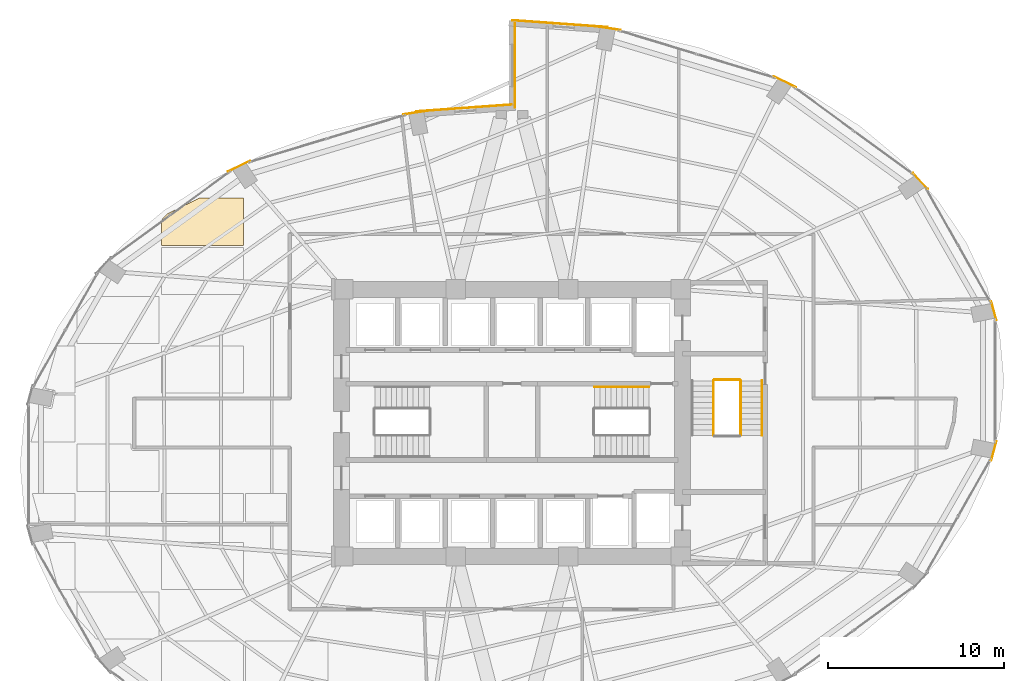
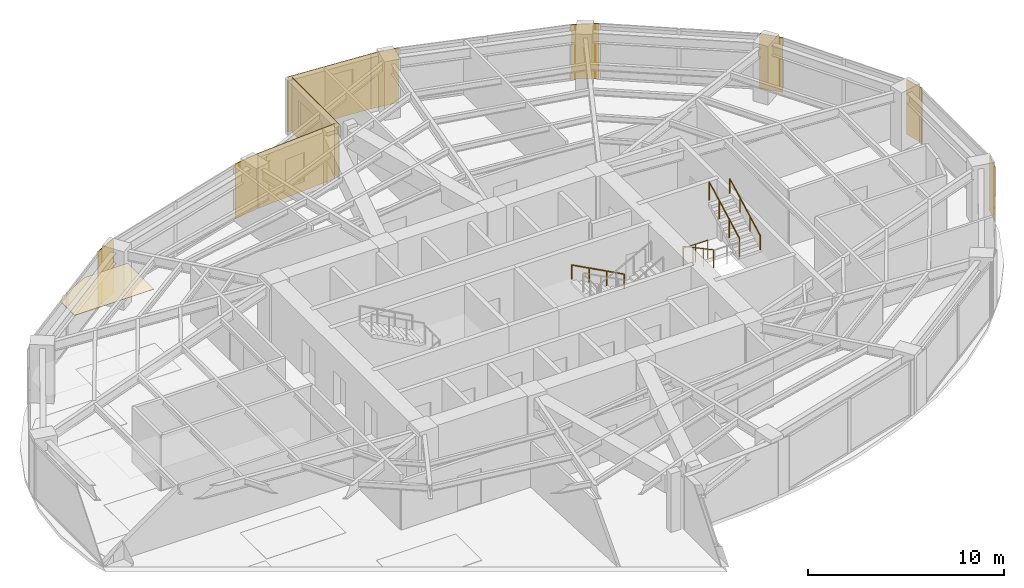
# One storey, part 24 of 24: 11 coverings, 5 railings.
"""IFC4 building model written with IfcOpenShell, lengths in metres."""

from ifc_helpers import new_model, si_unit, direction, frame, origin, origin_2d, place, context, subcontext, project, spatial, polyline, rectangle, circle, outline, extrude, material, layer, layer_set, type_object, element, save


model = new_model("IFC4")

# Units and contexts
model_context = context("Model", 3, precision=1e-05, world=origin(), true_north=direction((0.0, 1.0)))
body_context = subcontext(model_context, "Body", "Model", "MODEL_VIEW")
ifc_project = project(units=[si_unit("LENGTHUNIT", "METRE"), si_unit("AREAUNIT", "SQUARE_METRE"), si_unit("VOLUMEUNIT", "CUBIC_METRE"), si_unit("PLANEANGLEUNIT", "RADIAN"), si_unit("MASSUNIT", "GRAM", prefix="KILO")], contexts=[model_context])

# Site, building, storey
site_placement = place(None, origin())
site = spatial("IfcSite", under=ifc_project, at=site_placement, CompositionType="ELEMENT")
building_placement = place(site_placement, origin())
building = spatial("IfcBuilding", under=site, at=building_placement, Name="Lazwardi Medical Tower", CompositionType="ELEMENT")
storey_placement = place(building_placement, frame((0.0, 0.0, 68.97607421875)))
storey = spatial("IfcBuildingStorey", under=building, at=storey_placement, Name="L17", CompositionType="ELEMENT", Elevation=68.97607421875)

# Coverings
ifc_material_1 = material(Name="Anodised bronze aluminium cassette cladding", Category="aluminium")
ifc_layer_1 = layer(ifc_material_1, 0.030029296875)
ifc_layer_set_1 = layer_set([ifc_layer_1], Name="Anodised bronze aluminium cassette cladding")
covering_type_1 = type_object("IfcCoveringType", Name="COV-CLD-BRZ", PredefinedType="CLADDING", material=ifc_layer_set_1)
for number, where, z_axis, x_axis, name in (
    (1, (63.420654296875, 26.408203125, 0.0), (0.0, 0.0, 1.0), (0.262283496593, 0.964990863902, 0.0), "L17 Mega-column bronze cassette cover M04"),
    (2, (63.420654296875, 34.3916015625, 0.0), (0.0, 0.0, 1.0), (-0.262283496593, 0.964990863902, 0.0), "L17 Mega-column bronze cassette cover M05"),
):
    element("IfcCovering", number, at=place(storey_placement, frame(where, z_axis=z_axis, x_axis=x_axis)), inside=storey, type_object=covering_type_1, Name=name, PredefinedType="CLADDING", context=body_context, shape_type="SweptSolid", body=[
        extrude(rectangle(XDim=1.12548828125, YDim=0.030029296875, at=origin_2d()), origin(), (0.0, 0.0, 1.0), 3.427978515625),
    ])
covering_1_placement = place(storey_placement, frame((59.24609375, 41.767333984375, 0.0), z_axis=(0.0, 0.0, 1.0), x_axis=(-0.674252120961, 0.738501237223, 0.0)))
element("IfcCovering", 3, at=covering_1_placement, inside=storey, type_object=covering_type_1, Name="L17 Mega-column bronze cassette cover M06", PredefinedType="CLADDING", context=body_context, shape_type="SweptSolid", body=[
    extrude(rectangle(XDim=1.24658203125, YDim=0.030029296875, at=origin_2d()), origin(), (0.0, 0.0, 1.0), 3.427978515625),
])
covering_2_placement = place(storey_placement, frame((51.532470703125, 47.412353515625, 0.0), z_axis=(0.0, 0.0, 1.0), x_axis=(-0.898334492373, 0.439312121178, 0.0)))
element("IfcCovering", 4, at=covering_2_placement, inside=storey, type_object=covering_type_1, Name="L17 Mega-column bronze cassette cover M07", PredefinedType="CLADDING", context=body_context, shape_type="SweptSolid", body=[
    extrude(rectangle(XDim=1.400390625, YDim=0.030029296875, at=origin_2d()), origin(), (0.0, 0.0, 1.0), 3.427978515625),
])
for number, where, z_axis, x_axis, name in (
    (5, (41.454345703125, 50.46728515625, 0.0), (0.0, 0.0, 1.0), (-0.98957259946, 0.144034962415, 0.0), "L17 Mega-column bronze cassette cover M08"),
    (6, (30.545654296875, 45.66748046875, 0.0), (0.0, 0.0, 1.0), (-0.98957259946, -0.144034962415, 0.0), "L17 Mega-column bronze cassette cover M09"),
):
    element("IfcCovering", number, at=place(storey_placement, frame(where, z_axis=z_axis, x_axis=x_axis)), inside=storey, type_object=covering_type_1, Name=name, PredefinedType="CLADDING", context=body_context, shape_type="SweptSolid", body=[
        extrude(rectangle(XDim=1.49951171875, YDim=0.030029296875, at=origin_2d()), origin(), (0.0, 0.0, 1.0), 3.427978515625),
    ])
covering_3_placement = place(storey_placement, frame((20.467529296875, 42.6123046875, 0.0), z_axis=(0.0, 0.0, 1.0), x_axis=(-0.898334492373, -0.439312121178, 0.0)))
element("IfcCovering", 7, at=covering_3_placement, inside=storey, type_object=covering_type_1, Name="L17 Mega-column bronze cassette cover M10", PredefinedType="CLADDING", context=body_context, shape_type="SweptSolid", body=[
    extrude(rectangle(XDim=1.400390625, YDim=0.030029296875, at=origin_2d()), origin(), (0.0, 0.0, 1.0), 3.427978515625),
])
ifc_material_2 = material(Name="Turquoise glazed ceramic tilework cladding", Category="masonry")
ifc_layer_2 = layer(ifc_material_2, 0.034912109375)
ifc_layer_set_2 = layer_set([ifc_layer_2], Name="Turquoise glazed ceramic tilework cladding")
covering_type_2 = type_object("IfcCoveringType", Name="COV-CLD-TRQ", PredefinedType="CLADDING", material=ifc_layer_set_2)
covering_4_placement = place(storey_placement, frame((38.728271484375, 50.719482421875, 0.0), z_axis=(0.0, 0.0, 1.0), x_axis=(-0.997421404513, 0.071767275412, 0.0)))
element("IfcCovering", 8, at=covering_4_placement, inside=storey, type_object=covering_type_2, Name="L17 Turquoise glazed ceramic tilework cladding", PredefinedType="CLADDING", context=body_context, shape_type="SweptSolid", body=[
    extrude(rectangle(XDim=5.4453125, YDim=0.034912109375, at=origin_2d()), origin(), (0.0, 0.0, 1.0), 3.427978515625),
])
covering_5_placement = place(storey_placement, frame((33.271484375, 45.919677734375, 0.0), z_axis=(0.0, 0.0, 1.0), x_axis=(-0.997420903458, -0.071774238726, 0.0)))
element("IfcCovering", 9, at=covering_5_placement, inside=storey, type_object=covering_type_2, Name="L17 Turquoise glazed ceramic tilework cladding", PredefinedType="CLADDING", context=body_context, shape_type="SweptSolid", body=[
    extrude(rectangle(XDim=5.44482421875, YDim=0.034912109375, at=origin_2d()), origin(), (0.0, 0.0, 1.0), 3.427978515625),
])
covering_6_placement = place(storey_placement, frame((36.175537109375, 48.340087890625, 0.0), z_axis=(0.0, 0.0, 1.0), x_axis=(0.0, -1.0, 0.0)))
element("IfcCovering", 10, at=covering_6_placement, inside=storey, type_object=covering_type_2, Name="L17 Turquoise glazed ceramic tilework iwan panel", PredefinedType="CLADDING", context=body_context, shape_type="SweptSolid", body=[
    extrude(rectangle(XDim=4.800048828125, YDim=0.034912109375, at=origin_2d()), origin(), (0.0, 0.0, 1.0), 3.427978515625),
])
ifc_material_3 = material(Name="Acoustic mineral fibre tile")
ifc_layer_3 = layer(ifc_material_3, 0.02490234375)
ifc_layer_set_3 = layer_set([ifc_layer_3], Name="Acoustic mineral fibre tile")
covering_type_3 = type_object("IfcCoveringType", Name="COV-CLG-01", PredefinedType="CEILING", material=ifc_layer_set_3)
covering_7_placement = place(storey_placement, frame((0.0, 0.0, 3.282958984375)))
element("IfcCovering", 11, at=covering_7_placement, inside=storey, type_object=covering_type_3, Name="L17 Clinical Acoustic Ceiling 9", PredefinedType="CEILING", context=body_context, shape_type="SweptSolid", body=[
    extrude(outline(polyline([(18.19921875, 40.79248046875), (16.377197265625, 39.9033203125), (16.04296875, 39.537841796875), (16.04296875, 38.112548828125), (20.722900390625, 38.112548828125), (20.722900390625, 40.79248046875), (18.19921875, 40.79248046875)])), origin(), (0.0, 0.0, 1.0), 0.02490234375),
])

# Railings
ifc_material_4 = material(Name="Stainless steel Grade 316", Category="steel")
railing_type_1 = type_object("IfcRailingType", Name="RLG-GRD-1150", PredefinedType="GUARDRAIL", material=ifc_material_4)
railing_1_placement = place(storey_placement, frame((47.469970703125, 30.39990234375, 0.165771484375)))
element("IfcRailing", 12, at=railing_1_placement, inside=storey, type_object=railing_type_1, Name="L17 ST3 stair guard 1", PredefinedType="GUARDRAIL", context=body_context, shape_type="SweptSolid", body=[
    extrude(circle(Radius=0.02392578125, at=origin_2d()), frame((0.0, 0.0, 1.1259765625), z_axis=(0.0, -0.881767849116, 0.471683644262), x_axis=(1.0, 0.0, 0.0)), (0.0, 0.0, 1.0), 3.515380859375),
    extrude(circle(Radius=0.02099609375, at=origin_2d()), origin(), (0.0, 0.0, 1.0), 1.099853515625),
    extrude(circle(Radius=0.02099609375, at=origin_2d()), frame((0.0, -1.033203125, 0.552734375)), (0.0, 0.0, 1.0), 1.099853515625),
    extrude(circle(Radius=0.02099609375, at=origin_2d()), frame((0.0, -2.066650390625, 1.10546875)), (0.0, 0.0, 1.0), 1.099853515625),
    extrude(circle(Radius=0.02099609375, at=origin_2d()), frame((0.0, -3.099853515625, 1.658203125)), (0.0, 0.0, 1.0), 1.099853515625),
])
railing_2_placement = place(storey_placement, frame((49.010009765625, 27.300048828125, 1.98974609375)))
element("IfcRailing", 13, at=railing_2_placement, inside=storey, type_object=railing_type_1, Name="L17 ST3 stair guard 3", PredefinedType="GUARDRAIL", context=body_context, shape_type="SweptSolid", body=[
    extrude(circle(Radius=0.02392578125, at=origin_2d()), frame((0.0, 0.0, 1.1259765625), z_axis=(0.0, 0.881767849116, 0.471683644262), x_axis=(-1.0, 0.0, 0.0)), (0.0, 0.0, 1.0), 3.515380859375),
    extrude(circle(Radius=0.02099609375, at=origin_2d()), origin(), (0.0, 0.0, 1.0), 1.099853515625),
    extrude(circle(Radius=0.02099609375, at=origin_2d()), frame((0.0, 1.033203125, 0.552734375)), (0.0, 0.0, 1.0), 1.099853515625),
    extrude(circle(Radius=0.02099609375, at=origin_2d()), frame((0.0, 2.066650390625, 1.10546875)), (0.0, 0.0, 1.0), 1.099853515625),
    extrude(circle(Radius=0.02099609375, at=origin_2d()), frame((0.0, 3.099853515625, 1.658203125)), (0.0, 0.0, 1.0), 1.099853515625),
])
railing_3_placement = place(storey_placement, frame((47.52001953125, 30.449951171875, 0.0)))
element("IfcRailing", 14, at=railing_3_placement, inside=storey, type_object=railing_type_1, Name="L17 ST3 stair guard 4", PredefinedType="GUARDRAIL", context=body_context, shape_type="SweptSolid", body=[
    extrude(circle(Radius=0.02392578125, at=origin_2d()), frame((0.0, 0.0, 1.1259765625), z_axis=(1.0, 0.0, 0.0), x_axis=(0.0, 1.0, 0.0)), (0.0, 0.0, 1.0), 1.43994140625),
    extrude(circle(Radius=0.02099609375, at=origin_2d()), origin(), (0.0, 0.0, 1.0), 1.099853515625),
    extrude(circle(Radius=0.02099609375, at=origin_2d()), frame((0.719970703125, 0.0, 0.0)), (0.0, 0.0, 1.0), 1.099853515625),
    extrude(circle(Radius=0.02099609375, at=origin_2d()), frame((1.43994140625, 0.0, 0.0)), (0.0, 0.0, 1.0), 1.099853515625),
])
railing_type_2 = type_object("IfcRailingType", Name="RLG-HND-920", PredefinedType="HANDRAIL", material=ifc_material_4)
railing_4_placement = place(storey_placement, frame((43.800048828125, 30.050048828125, 0.165771484375)))
element("IfcRailing", 15, at=railing_4_placement, inside=storey, type_object=railing_type_2, Name="L17 ST2 stair handrail 1", PredefinedType="HANDRAIL", context=body_context, shape_type="SweptSolid", body=[
    extrude(circle(Radius=0.02392578125, at=origin_2d()), frame((0.0, 0.0, 0.8857421875), z_axis=(-0.881783298633, 0.0, 0.471654761719), x_axis=(0.0, -1.0, 0.0)), (0.0, 0.0, 1.0), 3.515625),
    extrude(circle(Radius=0.02099609375, at=origin_2d()), origin(), (0.0, 0.0, 1.0), 0.85986328125),
    extrude(circle(Radius=0.02099609375, at=origin_2d()), frame((-1.033447265625, 0.0, 0.552734375)), (0.0, 0.0, 1.0), 0.85986328125),
    extrude(circle(Radius=0.02099609375, at=origin_2d()), frame((-2.066650390625, 0.0, 1.10546875)), (0.0, 0.0, 1.0), 0.85986328125),
    extrude(circle(Radius=0.02099609375, at=origin_2d()), frame((-3.10009765625, 0.0, 1.658203125)), (0.0, 0.0, 1.0), 0.85986328125),
])
railing_5_placement = place(storey_placement, frame((50.22998046875, 27.300048828125, 1.98974609375)))
element("IfcRailing", 16, at=railing_5_placement, inside=storey, type_object=railing_type_2, Name="L17 ST3 stair handrail 2", PredefinedType="HANDRAIL", context=body_context, shape_type="SweptSolid", body=[
    extrude(circle(Radius=0.02392578125, at=origin_2d()), frame((0.0, 0.0, 0.8857421875), z_axis=(0.0, 0.881767849116, 0.471683644262), x_axis=(-1.0, 0.0, 0.0)), (0.0, 0.0, 1.0), 3.515380859375),
    extrude(circle(Radius=0.02099609375, at=origin_2d()), origin(), (0.0, 0.0, 1.0), 0.85986328125),
    extrude(circle(Radius=0.02099609375, at=origin_2d()), frame((0.0, 1.033203125, 0.552734375)), (0.0, 0.0, 1.0), 0.85986328125),
    extrude(circle(Radius=0.02099609375, at=origin_2d()), frame((0.0, 2.066650390625, 1.10546875)), (0.0, 0.0, 1.0), 0.85986328125),
    extrude(circle(Radius=0.02099609375, at=origin_2d()), frame((0.0, 3.099853515625, 1.658203125)), (0.0, 0.0, 1.0), 0.85986328125),
])

save(model, "model.ifc")
